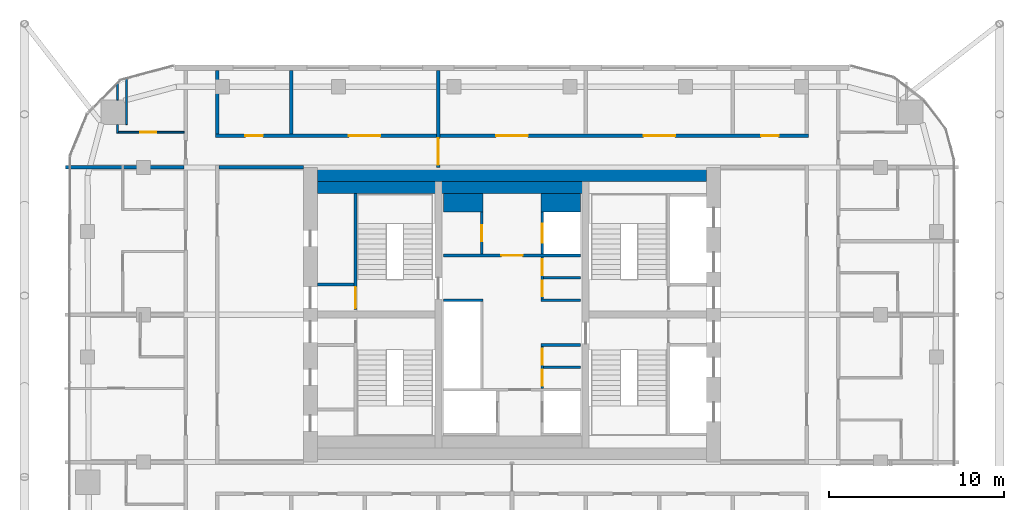
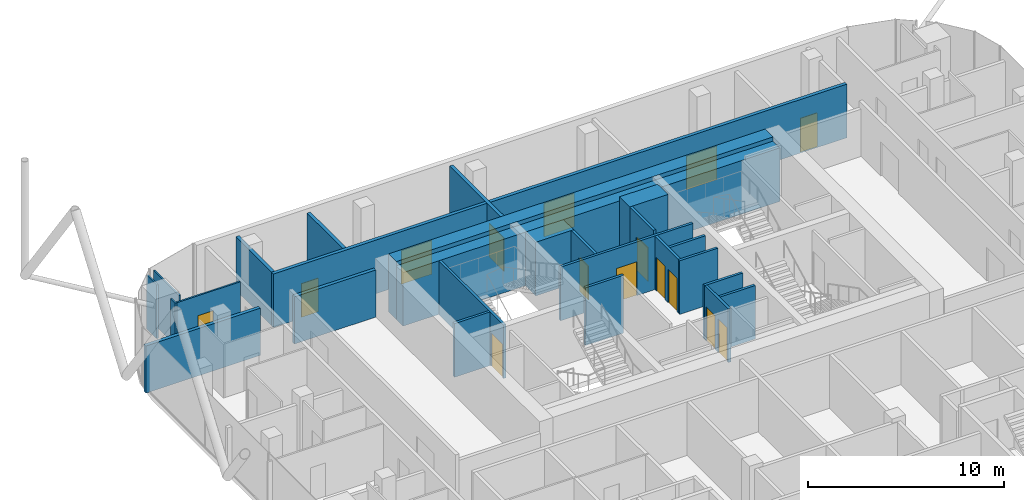
# One storey, part 25 of 28: 26 walls, 15 doors, 15 openings.
"""IFC4 building model written with IfcOpenShell, lengths in metres."""

from ifc_helpers import new_model, si_unit, direction, frame, frame_2d, origin, place, context, subcontext, project, spatial, rectangle, extrude, material, layer, layer_set, type_object, element, fill, save


model = new_model("IFC4")

# Units and contexts
model_context = context("Model", 3, precision=1e-05, world=origin(), true_north=direction((0.0, 1.0)))
body_context = subcontext(model_context, "Body", "Model", "MODEL_VIEW")
ifc_project = project(units=[si_unit("LENGTHUNIT", "METRE"), si_unit("AREAUNIT", "SQUARE_METRE"), si_unit("VOLUMEUNIT", "CUBIC_METRE"), si_unit("PLANEANGLEUNIT", "RADIAN"), si_unit("MASSUNIT", "GRAM", prefix="KILO")], contexts=[model_context])

# Site, building, storey
site_placement = place(None, origin())
site = spatial("IfcSite", under=ifc_project, at=site_placement, CompositionType="ELEMENT")
building_placement = place(site_placement, origin())
building = spatial("IfcBuilding", under=site, at=building_placement, Name="Marenta Gate Hotel Tower", CompositionType="ELEMENT")
storey_placement = place(building_placement, frame((0.0, 0.0, 212.89990234375)))
storey = spatial("IfcBuildingStorey", under=building, at=storey_placement, Name="L49", CompositionType="ELEMENT", Elevation=212.89990234375)

# Wall, opening, door
ifc_material_1 = material(Name="Concrete blockwork", Category="masonry")
ifc_layer_1 = layer(ifc_material_1, 0.199951171875)
ifc_layer_set_1 = layer_set([ifc_layer_1], Name="Concrete blockwork")
wall_type_1 = type_object("IfcWallType", Name="Compartment wall 200 REI 180", PredefinedType="PARTITIONING", material=ifc_layer_set_1)
wall_1_placement = place(storey_placement, frame((-4.199951171875, 16.800048828125, 0.0), z_axis=(0.0, 0.0, 1.0), x_axis=(0.0, 1.0, 0.0)))
wall_1 = element("IfcWall", 1, at=wall_1_placement, inside=storey, type_object=wall_type_1, Name="L49-PTN-W089", PredefinedType="PARTITIONING", context=body_context, shape_type="SweptSolid", body=[
    extrude(rectangle(XDim=5.5400390625, YDim=0.199951171875, at=frame_2d((2.77001953125, 0.0))), origin(), (0.0, 0.0, 1.0), 3.340087890625),
])
opening_1_placement = place(wall_1_placement, frame((0.14990234375, 0.0, 0.0)))
opening_1 = element("IfcOpeningElement", 2, at=opening_1_placement, cuts=wall_1, Name="Opening G17-FD1", PredefinedType="OPENING", context=body_context, shape_type="SweptSolid", body=[
    extrude(rectangle(XDim=1.5, YDim=2.10009765625, at=frame_2d((0.75, 1.050048828125))), frame((0.0, 0.10009765625, 0.0), z_axis=(0.0, -1.0, 0.0), x_axis=(1.0, 0.0, 0.0)), (0.0, 0.0, 1.0), 0.199951171875),
])
ifc_material_2 = material(Name="Hollow steel door set", Category="steel")
door_type_1 = type_object("IfcDoorType", Name="Compartment fire door 1500x2100 EI 60", OperationType="DOUBLE_DOOR_DOUBLE_SWING", PredefinedType="DOOR", material=ifc_material_2)
door_1_placement = place(opening_1_placement, origin())
door_1 = element("IfcDoor", 3, at=door_1_placement, inside=storey, type_object=door_type_1, Name="L49-PD-FD01", OperationType="DOUBLE_DOOR_DOUBLE_SWING", OverallHeight=2.10009765625, OverallWidth=1.5, PredefinedType="DOOR", context=body_context, shape_type="SweptSolid", body=[
    extrude(rectangle(XDim=1.5, YDim=2.10009765625, at=frame_2d((0.75, 1.050048828125))), frame((0.0, 0.02490234375, 0.0), z_axis=(0.0, -1.0, 0.0), x_axis=(1.0, 0.0, 0.0)), (0.0, 0.0, 1.0), 0.050048828125),
])
fill(opening_1, door_1)

# Walls
ifc_material_3 = material(Name="Concrete blockwork", Category="masonry")
ifc_layer_2 = layer(ifc_material_3, 0.199951171875)
ifc_layer_set_2 = layer_set([ifc_layer_2], Name="Concrete blockwork")
wall_type_2 = type_object("IfcWallType", Name="Core boundary wall 200 REI 180", PredefinedType="PARTITIONING", material=ifc_layer_set_2)
wall_2_placement = place(storey_placement, frame((-16.699951171875, 16.800048828125, 0.0), z_axis=(0.0, 0.0, 1.0), x_axis=(1.0, 0.0, 0.0)))
element("IfcWall", 4, at=wall_2_placement, inside=storey, type_object=wall_type_2, Name="L49-CP-EW-WN", PredefinedType="PARTITIONING", context=body_context, shape_type="SweptSolid", body=[
    extrude(rectangle(XDim=4.800048828125, YDim=0.199951171875, at=frame_2d((2.39990234375, 0.0))), origin(), (0.0, 0.0, 1.0), 2.940185546875),
])
ifc_material_4 = material(Name="Concrete C40", Category="concrete")
ifc_layer_3 = layer(ifc_material_4, 0.699951171875)
ifc_layer_set_3 = layer_set([ifc_layer_3], Name="Concrete C40")
wall_type_3 = type_object("IfcWallType", Name="Core lining wall 700 REI 180", PredefinedType="PARTITIONING", material=ifc_layer_set_3)
wall_3_placement = place(storey_placement, frame((-11.10009765625, 15.64990234375, 0.0), z_axis=(0.0, 0.0, 1.0), x_axis=(1.0, 0.0, 0.0)))
element("IfcWall", 5, at=wall_3_placement, inside=storey, type_object=wall_type_3, Name="L49-CP-LN-N", PredefinedType="PARTITIONING", context=body_context, shape_type="SweptSolid", body=[
    extrude(rectangle(XDim=22.2001953125, YDim=0.699951171875, at=frame_2d((11.10009765625, 0.0))), origin(), (0.0, 0.0, 1.0), 3.340087890625),
])

# Wall, opening, door
ifc_material_5 = material(Name="Concrete blockwork", Category="masonry")
ifc_layer_4 = layer(ifc_material_5, 0.14990234375)
ifc_layer_set_4 = layer_set([ifc_layer_4], Name="Concrete blockwork")
wall_type_4 = type_object("IfcWallType", Name="Core lobby partition 150 REI 180", PredefinedType="PARTITIONING", material=ifc_layer_set_4)
wall_4_placement = place(storey_placement, frame((-3.89990234375, 11.77490234375, 0.0), z_axis=(0.0, 0.0, 1.0), x_axis=(1.0, 0.0, 0.0)))
wall_4 = element("IfcWall", 6, at=wall_4_placement, inside=storey, type_object=wall_type_4, Name="L49-CP-CW-N", PredefinedType="PARTITIONING", context=body_context, shape_type="SweptSolid", body=[
    extrude(rectangle(XDim=7.7998046875, YDim=0.14990234375, at=frame_2d((3.89990234375, 0.0))), origin(), (0.0, 0.0, 1.0), 3.340087890625),
])
opening_2_placement = place(wall_4_placement, frame((3.300048828125, 0.0, 0.0)))
opening_2 = element("IfcOpeningElement", 7, at=opening_2_placement, cuts=wall_4, Name="Opening FD-FFN", PredefinedType="OPENING", context=body_context, shape_type="SweptSolid", body=[
    extrude(rectangle(XDim=1.199951171875, YDim=2.10009765625, at=frame_2d((0.60009765625, 1.050048828125))), frame((0.0, 0.074951171875, 0.0), z_axis=(0.0, -1.0, 0.0), x_axis=(1.0, 0.0, 0.0)), (0.0, 0.0, 1.0), 0.14990234375),
])
ifc_material_6 = material(Name="Steel", Category="steel")
door_type_2 = type_object("IfcDoorType", Name="Core lobby door 1200x2100 FD60", OperationType="SINGLE_SWING_LEFT", PredefinedType="DOOR", material=ifc_material_6)
door_2_placement = place(opening_2_placement, origin())
door_2 = element("IfcDoor", 8, at=door_2_placement, inside=storey, type_object=door_type_2, Name="FD-FFN", OperationType="SINGLE_SWING_LEFT", OverallHeight=2.10009765625, OverallWidth=1.199951171875, PredefinedType="DOOR", context=body_context, shape_type="SweptSolid", body=[
    extrude(rectangle(XDim=1.199951171875, YDim=2.10009765625, at=frame_2d((0.60009765625, 1.050048828125))), frame((0.0, 0.02490234375, 0.0), z_axis=(0.0, -1.0, 0.0), x_axis=(1.0, 0.0, 0.0)), (0.0, 0.0, 1.0), 0.050048828125),
])
fill(opening_2, door_2)

# Walls
ifc_material_7 = material(Name="Concrete blockwork", Category="masonry")
ifc_layer_5 = layer(ifc_material_7, 1.050048828125)
ifc_layer_set_5 = layer_set([ifc_layer_5], Name="Concrete blockwork")
wall_type_5 = type_object("IfcWallType", Name="Core room partition 1050 REI 180", PredefinedType="PARTITIONING", material=ifc_layer_set_5)
wall_5_placement = place(storey_placement, frame((-3.89990234375, 14.77490234375, 0.0), z_axis=(0.0, 0.0, 1.0), x_axis=(1.0, 0.0, 0.0)))
element("IfcWall", 9, at=wall_5_placement, inside=storey, type_object=wall_type_5, Name="L49-CP-CW-W-riser-N", PredefinedType="PARTITIONING", context=body_context, shape_type="SweptSolid", body=[
    extrude(rectangle(XDim=2.25, YDim=1.050048828125, at=frame_2d((1.125, 0.0))), origin(), (0.0, 0.0, 1.0), 3.340087890625),
])
ifc_material_8 = material(Name="Concrete blockwork", Category="masonry")
ifc_layer_6 = layer(ifc_material_8, 0.14990234375)
ifc_layer_set_6 = layer_set([ifc_layer_6], Name="Concrete blockwork")
wall_type_6 = type_object("IfcWallType", Name="Core room partition 150 REI 180", PredefinedType="PARTITIONING", material=ifc_layer_set_6)
wall_6_placement = place(storey_placement, frame((-11.10009765625, 10.125, 0.0), z_axis=(0.0, 0.0, 1.0), x_axis=(1.0, 0.0, 0.0)))
element("IfcWall", 10, at=wall_6_placement, inside=storey, type_object=wall_type_6, Name="L49-CP-SW-WN-2", PredefinedType="PARTITIONING", context=body_context, shape_type="SweptSolid", body=[
    extrude(rectangle(XDim=2.10009765625, YDim=0.14990234375, at=frame_2d((1.050048828125, 0.0))), origin(), (0.0, 0.0, 1.0), 3.340087890625),
])

# Wall, opening, door
wall_7_placement = place(storey_placement, frame((-1.72509765625, 11.85009765625, 0.0), z_axis=(0.0, 0.0, 1.0), x_axis=(0.0, 1.0, 0.0)))
wall_7 = element("IfcWall", 11, at=wall_7_placement, inside=storey, type_object=wall_type_6, Name="L49-CP-CW-W-riser-front", PredefinedType="PARTITIONING", context=body_context, shape_type="SweptSolid", body=[
    extrude(rectangle(XDim=2.39990234375, YDim=0.14990234375, at=frame_2d((1.199951171875, 0.0))), origin(), (0.0, 0.0, 1.0), 3.340087890625),
])
opening_3_placement = place(wall_7_placement, frame((0.75, 0.0, 0.0)))
opening_3 = element("IfcOpeningElement", 12, at=opening_3_placement, cuts=wall_7, Name="Opening RD-CRISER", PredefinedType="OPENING", context=body_context, shape_type="SweptSolid", body=[
    extrude(rectangle(XDim=0.89990234375, YDim=2.10009765625, at=frame_2d((0.449951171875, 1.050048828125))), frame((0.0, 0.074951171875, 0.0), z_axis=(0.0, -1.0, 0.0), x_axis=(1.0, 0.0, 0.0)), (0.0, 0.0, 1.0), 0.14990234375),
])
ifc_material_9 = material(Name="Steel", Category="steel")
door_type_3 = type_object("IfcDoorType", Name="Core riser door 900x2100 FD60", OperationType="SINGLE_SWING_LEFT", PredefinedType="DOOR", material=ifc_material_9)
door_3_placement = place(opening_3_placement, origin())
door_3 = element("IfcDoor", 13, at=door_3_placement, inside=storey, type_object=door_type_3, Name="RD-CRISER", OperationType="SINGLE_SWING_LEFT", OverallHeight=2.10009765625, OverallWidth=0.89990234375, PredefinedType="DOOR", context=body_context, shape_type="SweptSolid", body=[
    extrude(rectangle(XDim=0.89990234375, YDim=2.10009765625, at=frame_2d((0.449951171875, 1.050048828125))), frame((0.0, 0.02490234375, 0.0), z_axis=(0.0, -1.0, 0.0), x_axis=(1.0, 0.0, 0.0)), (0.0, 0.0, 1.0), 0.050048828125),
])
fill(opening_3, door_3)

# Walls
for number, where, z_axis, x_axis, name in (
    (14, (1.64990234375, 6.675048828125, 0.0), (0.0, 0.0, 1.0), (1.0, 0.0, 0.0), "L49-CP-CE-sep1"),
    (15, (1.64990234375, 9.22509765625, 0.0), (0.0, 0.0, 1.0), (1.0, 0.0, 0.0), "L49-CP-CE-sep2"),
):
    element("IfcWall", number, at=place(storey_placement, frame(where, z_axis=z_axis, x_axis=x_axis)), inside=storey, type_object=wall_type_6, Name=name, PredefinedType="PARTITIONING", context=body_context, shape_type="SweptSolid", body=[
        extrude(rectangle(XDim=2.25, YDim=0.14990234375, at=frame_2d((1.125, 0.0))), origin(), (0.0, 0.0, 1.0), 3.340087890625),
    ])

# Wall, openings, doors
wall_8_placement = place(storey_placement, frame((1.72509765625, 4.199951171875, 0.0), z_axis=(0.0, 0.0, 1.0), x_axis=(0.0, 1.0, 0.0)))
wall_8 = element("IfcWall", 16, at=wall_8_placement, inside=storey, type_object=wall_type_6, Name="L49-CP-CE-front-1", PredefinedType="PARTITIONING", context=body_context, shape_type="SweptSolid", body=[
    extrude(rectangle(XDim=2.400146484375, YDim=0.14990234375, at=frame_2d((1.2001953125, 0.0))), origin(), (0.0, 0.0, 1.0), 3.340087890625),
])
opening_4_placement = place(wall_8_placement, frame((0.14990234375, 0.0, 0.0)))
opening_4 = element("IfcOpeningElement", 17, at=opening_4_placement, cuts=wall_8, Name="Opening RD-CE-1a", PredefinedType="OPENING", context=body_context, shape_type="SweptSolid", body=[
    extrude(rectangle(XDim=0.89990234375, YDim=2.10009765625, at=frame_2d((0.449951171875, 1.050048828125))), frame((0.0, 0.074951171875, 0.0), z_axis=(0.0, -1.0, 0.0), x_axis=(1.0, 0.0, 0.0)), (0.0, 0.0, 1.0), 0.14990234375),
])
opening_5_placement = place(wall_8_placement, frame((1.35009765625, 0.0, 0.0)))
opening_5 = element("IfcOpeningElement", 18, at=opening_5_placement, cuts=wall_8, Name="Opening RD-CE-1b-B", PredefinedType="OPENING", context=body_context, shape_type="SweptSolid", body=[
    extrude(rectangle(XDim=0.89990234375, YDim=2.10009765625, at=frame_2d((0.449951171875, 1.050048828125))), frame((0.0, 0.074951171875, 0.0), z_axis=(0.0, -1.0, 0.0), x_axis=(1.0, 0.0, 0.0)), (0.0, 0.0, 1.0), 0.14990234375),
])
ifc_material_10 = material(Name="Steel", Category="steel")
door_type_4 = type_object("IfcDoorType", Name="Core service room door 900x2100 FD30S", OperationType="SINGLE_SWING_LEFT", PredefinedType="DOOR", material=ifc_material_10)
door_4_placement = place(opening_4_placement, origin())
door_4 = element("IfcDoor", 19, at=door_4_placement, inside=storey, type_object=door_type_4, Name="RD-CE-1a", OperationType="SINGLE_SWING_LEFT", OverallHeight=2.10009765625, OverallWidth=0.89990234375, PredefinedType="DOOR", context=body_context, shape_type="SweptSolid", body=[
    extrude(rectangle(XDim=0.89990234375, YDim=2.10009765625, at=frame_2d((0.449951171875, 1.050048828125))), frame((0.0, 0.02490234375, 0.0), z_axis=(0.0, -1.0, 0.0), x_axis=(1.0, 0.0, 0.0)), (0.0, 0.0, 1.0), 0.050048828125),
])
fill(opening_4, door_4)
door_5_placement = place(opening_5_placement, origin())
door_5 = element("IfcDoor", 20, at=door_5_placement, inside=storey, type_object=door_type_4, Name="RD-CE-1b-B", OperationType="SINGLE_SWING_LEFT", OverallHeight=2.10009765625, OverallWidth=0.89990234375, PredefinedType="DOOR", context=body_context, shape_type="SweptSolid", body=[
    extrude(rectangle(XDim=0.89990234375, YDim=2.10009765625, at=frame_2d((0.449951171875, 1.050048828125))), frame((0.0, 0.02490234375, 0.0), z_axis=(0.0, -1.0, 0.0), x_axis=(1.0, 0.0, 0.0)), (0.0, 0.0, 1.0), 0.050048828125),
])
fill(opening_5, door_5)

wall_9_placement = place(storey_placement, frame((1.72509765625, 9.300048828125, 0.0), z_axis=(0.0, 0.0, 1.0), x_axis=(0.0, 1.0, 0.0)))
wall_9 = element("IfcWall", 21, at=wall_9_placement, inside=storey, type_object=wall_type_6, Name="L49-CP-CE-front-2", PredefinedType="PARTITIONING", context=body_context, shape_type="SweptSolid", body=[
    extrude(rectangle(XDim=2.39990234375, YDim=0.14990234375, at=frame_2d((1.199951171875, 0.0))), origin(), (0.0, 0.0, 1.0), 3.340087890625),
])
opening_6_placement = place(wall_9_placement, frame((0.14990234375, 0.0, 0.0)))
opening_6 = element("IfcOpeningElement", 22, at=opening_6_placement, cuts=wall_9, Name="Opening RD-CE-2a", PredefinedType="OPENING", context=body_context, shape_type="SweptSolid", body=[
    extrude(rectangle(XDim=0.89990234375, YDim=2.10009765625, at=frame_2d((0.449951171875, 1.050048828125))), frame((0.0, 0.074951171875, 0.0), z_axis=(0.0, -1.0, 0.0), x_axis=(1.0, 0.0, 0.0)), (0.0, 0.0, 1.0), 0.14990234375),
])
opening_7_placement = place(wall_9_placement, frame((1.35009765625, 0.0, 0.0)))
opening_7 = element("IfcOpeningElement", 23, at=opening_7_placement, cuts=wall_9, Name="Opening RD-CE-2b-B", PredefinedType="OPENING", context=body_context, shape_type="SweptSolid", body=[
    extrude(rectangle(XDim=0.89990234375, YDim=2.10009765625, at=frame_2d((0.449951171875, 1.050048828125))), frame((0.0, 0.074951171875, 0.0), z_axis=(0.0, -1.0, 0.0), x_axis=(1.0, 0.0, 0.0)), (0.0, 0.0, 1.0), 0.14990234375),
])
door_6_placement = place(opening_6_placement, origin())
door_6 = element("IfcDoor", 24, at=door_6_placement, inside=storey, type_object=door_type_4, Name="RD-CE-2a", OperationType="SINGLE_SWING_LEFT", OverallHeight=2.10009765625, OverallWidth=0.89990234375, PredefinedType="DOOR", context=body_context, shape_type="SweptSolid", body=[
    extrude(rectangle(XDim=0.89990234375, YDim=2.10009765625, at=frame_2d((0.449951171875, 1.050048828125))), frame((0.0, 0.02490234375, 0.0), z_axis=(0.0, -1.0, 0.0), x_axis=(1.0, 0.0, 0.0)), (0.0, 0.0, 1.0), 0.050048828125),
])
fill(opening_6, door_6)
door_7_placement = place(opening_7_placement, origin())
door_7 = element("IfcDoor", 25, at=door_7_placement, inside=storey, type_object=door_type_4, Name="RD-CE-2b-B", OperationType="SINGLE_SWING_LEFT", OverallHeight=2.10009765625, OverallWidth=0.89990234375, PredefinedType="DOOR", context=body_context, shape_type="SweptSolid", body=[
    extrude(rectangle(XDim=0.89990234375, YDim=2.10009765625, at=frame_2d((0.449951171875, 1.050048828125))), frame((0.0, 0.02490234375, 0.0), z_axis=(0.0, -1.0, 0.0), x_axis=(1.0, 0.0, 0.0)), (0.0, 0.0, 1.0), 0.050048828125),
])
fill(opening_7, door_7)

# Walls
for number, where, z_axis, x_axis, name in (
    (26, (1.800048828125, 5.39990234375, 0.0), (0.0, 0.0, 1.0), (1.0, 0.0, 0.0), "L49-CP-CE-RW-1"),
    (27, (1.800048828125, 10.5, 0.0), (0.0, 0.0, 1.0), (1.0, 0.0, 0.0), "L49-CP-CE-RW-2"),
):
    element("IfcWall", number, at=place(storey_placement, frame(where, z_axis=z_axis, x_axis=x_axis)), inside=storey, type_object=wall_type_6, Name=name, PredefinedType="PARTITIONING", context=body_context, shape_type="SweptSolid", body=[
        extrude(rectangle(XDim=2.099853515625, YDim=0.14990234375, at=frame_2d((1.0498046875, 0.0))), origin(), (0.0, 0.0, 1.0), 3.340087890625),
    ])
ifc_material_11 = material(Name="Concrete C40", Category="concrete")
ifc_layer_7 = layer(ifc_material_11, 1.050048828125)
ifc_layer_set_7 = layer_set([ifc_layer_7], Name="Concrete C40")
wall_type_7 = type_object("IfcWallType", Name="Core shaft wall 1050 REI 180", PredefinedType="SHEAR", material=ifc_layer_set_7)
wall_10_placement = place(storey_placement, frame((1.64990234375, 14.77490234375, 0.0), z_axis=(0.0, 0.0, 1.0), x_axis=(1.0, 0.0, 0.0)))
element("IfcWall", 28, at=wall_10_placement, inside=storey, type_object=wall_type_7, Name="L49-SHF-CE-N-top", PredefinedType="SHEAR", context=body_context, shape_type="SweptSolid", body=[
    extrude(rectangle(XDim=2.25, YDim=1.050048828125, at=frame_2d((1.125, 0.0))), origin(), (0.0, 0.0, 1.0), 3.60009765625),
])
ifc_material_12 = material(Name="Concrete C40", Category="concrete")
ifc_layer_8 = layer(ifc_material_12, 0.14990234375)
ifc_layer_set_8 = layer_set([ifc_layer_8], Name="Concrete C40")
wall_type_8 = type_object("IfcWallType", Name="Core shaft wall 150 REI 180", PredefinedType="SHEAR", material=ifc_layer_set_8)
wall_11_placement = place(storey_placement, frame((-3.89990234375, 9.22509765625, 0.0), z_axis=(0.0, 0.0, 1.0), x_axis=(1.0, 0.0, 0.0)))
element("IfcWall", 29, at=wall_11_placement, inside=storey, type_object=wall_type_8, Name="L49-SHF-CW-W-sep", PredefinedType="SHEAR", context=body_context, shape_type="SweptSolid", body=[
    extrude(rectangle(XDim=2.25, YDim=0.14990234375, at=frame_2d((1.125, 0.0))), origin(), (0.0, 0.0, 1.0), 3.60009765625),
])

# Wall, opening, door
wall_12_placement = place(storey_placement, frame((1.72509765625, 11.85009765625, 0.0), z_axis=(0.0, 0.0, 1.0), x_axis=(0.0, 1.0, 0.0)))
wall_12 = element("IfcWall", 30, at=wall_12_placement, inside=storey, type_object=wall_type_8, Name="L49-SHF-CE-N-front2", PredefinedType="SHEAR", context=body_context, shape_type="SweptSolid", body=[
    extrude(rectangle(XDim=2.39990234375, YDim=0.14990234375, at=frame_2d((1.199951171875, 0.0))), origin(), (0.0, 0.0, 1.0), 3.60009765625),
])
opening_8_placement = place(wall_12_placement, frame((0.64990234375, 0.0, 0.0)))
opening_8 = element("IfcOpeningElement", 31, at=opening_8_placement, cuts=wall_12, Name="Opening LD-FF2", PredefinedType="OPENING", context=body_context, shape_type="SweptSolid", body=[
    extrude(rectangle(XDim=1.10009765625, YDim=2.10009765625, at=frame_2d((0.550048828125, 1.050048828125))), frame((0.0, 0.074951171875, 0.0), z_axis=(0.0, -1.0, 0.0), x_axis=(1.0, 0.0, 0.0)), (0.0, 0.0, 1.0), 0.14990234375),
])
ifc_material_13 = material(Name="Steel", Category="steel")
door_type_5 = type_object("IfcDoorType", Name="Core lift landing door 1100x2100 E 60", OperationType="SLIDING_TO_LEFT", PredefinedType="DOOR", material=ifc_material_13)
door_8_placement = place(opening_8_placement, origin())
door_8 = element("IfcDoor", 32, at=door_8_placement, inside=storey, type_object=door_type_5, Name="LD-FF2", OperationType="SLIDING_TO_LEFT", OverallHeight=2.10009765625, OverallWidth=1.10009765625, PredefinedType="DOOR", context=body_context, shape_type="SweptSolid", body=[
    extrude(rectangle(XDim=1.10009765625, YDim=2.10009765625, at=frame_2d((0.550048828125, 1.050048828125))), frame((0.0, 0.02490234375, 0.0), z_axis=(0.0, -1.0, 0.0), x_axis=(1.0, 0.0, 0.0)), (0.0, 0.0, 1.0), 0.050048828125),
])
fill(opening_8, door_8)

ifc_material_14 = material(Name="Concrete C40", Category="concrete")
ifc_layer_9 = layer(ifc_material_14, 0.14990234375)
ifc_layer_set_9 = layer_set([ifc_layer_9], Name="Concrete C40")
wall_type_9 = type_object("IfcWallType", Name="Core stair enclosure wall 150 REI 180", PredefinedType="SHEAR", material=ifc_layer_set_9)
wall_13_placement = place(storey_placement, frame((-8.925048828125, 8.699951171875, 0.0), z_axis=(0.0, 0.0, 1.0), x_axis=(0.0, 1.0, 0.0)))
wall_13 = element("IfcWall", 33, at=wall_13_placement, inside=storey, type_object=wall_type_9, Name="L49-SHF-SW-WN-3", PredefinedType="SHEAR", context=body_context, shape_type="SweptSolid", body=[
    extrude(rectangle(XDim=6.60009765625, YDim=0.14990234375, at=frame_2d((3.300048828125, 0.0))), origin(), (0.0, 0.0, 1.0), 3.340087890625),
])
opening_9_placement = place(wall_13_placement, frame((0.074951171875, 0.0, 0.0)))
opening_9 = element("IfcOpeningElement", 34, at=opening_9_placement, cuts=wall_13, Name="Opening SD-WN", PredefinedType="OPENING", context=body_context, shape_type="SweptSolid", body=[
    extrude(rectangle(XDim=1.199951171875, YDim=2.10009765625, at=frame_2d((0.60009765625, 1.050048828125))), frame((0.0, 0.074951171875, 0.0), z_axis=(0.0, -1.0, 0.0), x_axis=(1.0, 0.0, 0.0)), (0.0, 0.0, 1.0), 0.14990234375),
])
ifc_material_15 = material(Name="Steel", Category="steel")
door_type_6 = type_object("IfcDoorType", Name="Core stair door 1200x2100 FD60", OperationType="SINGLE_SWING_LEFT", PredefinedType="DOOR", material=ifc_material_15)
door_9_placement = place(opening_9_placement, origin())
door_9 = element("IfcDoor", 35, at=door_9_placement, inside=storey, type_object=door_type_6, Name="SD-WN", OperationType="SINGLE_SWING_LEFT", OverallHeight=2.10009765625, OverallWidth=1.199951171875, PredefinedType="DOOR", context=body_context, shape_type="SweptSolid", body=[
    extrude(rectangle(XDim=1.199951171875, YDim=2.10009765625, at=frame_2d((0.60009765625, 1.050048828125))), frame((0.0, 0.02490234375, 0.0), z_axis=(0.0, -1.0, 0.0), x_axis=(1.0, 0.0, 0.0)), (0.0, 0.0, 1.0), 0.050048828125),
])
fill(opening_9, door_9)

# Walls
ifc_material_16 = material(Name="Concrete C60", Category="concrete")
ifc_layer_10 = layer(ifc_material_16, 0.800048828125)
ifc_layer_set_10 = layer_set([ifc_layer_10], Name="Concrete C60")
wall_type_10 = type_object("IfcWallType", Name="Core wall 800 C60", PredefinedType="SHEAR", material=ifc_layer_set_10)
wall_14_placement = place(storey_placement, frame((-11.10009765625, 16.39990234375, 0.0), z_axis=(0.0, 0.0, 1.0), x_axis=(1.0, 0.0, 0.0)))
element("IfcWall", 36, at=wall_14_placement, inside=storey, type_object=wall_type_10, Name="L49-CORE-N", PredefinedType="SHEAR", context=body_context, shape_type="SweptSolid", body=[
    extrude(rectangle(XDim=22.2001953125, YDim=0.800048828125, at=frame_2d((11.10009765625, 0.0))), origin(), (0.0, 0.0, 1.0), 3.60009765625),
])
ifc_material_17 = material(Name="Gypsum board on steel stud", Category="steel")
ifc_layer_11 = layer(ifc_material_17, 0.199951171875)
ifc_layer_set_11 = layer_set([ifc_layer_11], Name="Gypsum board on steel stud")
wall_type_11 = type_object("IfcWallType", Name="Room corridor wall 200 EI 60", PredefinedType="PARTITIONING", material=ifc_layer_set_11)
wall_15_placement = place(storey_placement, frame((-16.800048828125, 18.699951171875, 0.0), z_axis=(0.0, 0.0, 1.0), x_axis=(0.0, 1.0, 0.0)))
element("IfcWall", 37, at=wall_15_placement, inside=storey, type_object=wall_type_11, Name="L49-PTN-W115", PredefinedType="PARTITIONING", context=body_context, shape_type="SweptSolid", body=[
    extrude(rectangle(XDim=3.64013671875, YDim=0.199951171875, at=frame_2d((1.820068359375, 0.0))), origin(), (0.0, 0.0, 1.0), 3.340087890625),
])

# Wall, openings, doors
wall_16_placement = place(storey_placement, frame((-16.89990234375, 18.60009765625, 0.0), z_axis=(0.0, 0.0, 1.0), x_axis=(1.0, 0.0, 0.0)))
wall_16 = element("IfcWall", 38, at=wall_16_placement, inside=storey, type_object=wall_type_11, Name="L49-PTN-W119", PredefinedType="PARTITIONING", context=body_context, shape_type="SweptSolid", body=[
    extrude(rectangle(XDim=33.7998046875, YDim=0.199951171875, at=frame_2d((16.89990234375, 0.0))), origin(), (0.0, 0.0, 1.0), 3.340087890625),
])
opening_10_placement = place(wall_16_placement, frame((1.699951171875, 0.0, 0.0)))
opening_10 = element("IfcOpeningElement", 39, at=opening_10_placement, cuts=wall_16, Name="Opening G17-36", PredefinedType="OPENING", context=body_context, shape_type="SweptSolid", body=[
    extrude(rectangle(XDim=1.0, YDim=2.10009765625, at=frame_2d((0.5, 1.050048828125))), frame((0.0, 0.10009765625, 0.0), z_axis=(0.0, -1.0, 0.0), x_axis=(1.0, 0.0, 0.0)), (0.0, 0.0, 1.0), 0.199951171875),
])
opening_11_placement = place(wall_16_placement, frame((7.60009765625, 0.0, 0.0)))
opening_11 = element("IfcOpeningElement", 40, at=opening_11_placement, cuts=wall_16, Name="Opening G17-37", PredefinedType="OPENING", context=body_context, shape_type="SweptSolid", body=[
    extrude(rectangle(XDim=1.800048828125, YDim=2.10009765625, at=frame_2d((0.89990234375, 1.050048828125))), frame((0.0, 0.10009765625, 0.0), z_axis=(0.0, -1.0, 0.0), x_axis=(1.0, 0.0, 0.0)), (0.0, 0.0, 1.0), 0.199951171875),
])
opening_12_placement = place(wall_16_placement, frame((16.0, 0.0, 0.0)))
opening_12 = element("IfcOpeningElement", 41, at=opening_12_placement, cuts=wall_16, Name="Opening G17-38", PredefinedType="OPENING", context=body_context, shape_type="SweptSolid", body=[
    extrude(rectangle(XDim=1.800048828125, YDim=2.10009765625, at=frame_2d((0.89990234375, 1.050048828125))), frame((0.0, 0.10009765625, 0.0), z_axis=(0.0, -1.0, 0.0), x_axis=(1.0, 0.0, 0.0)), (0.0, 0.0, 1.0), 0.199951171875),
])
opening_13_placement = place(wall_16_placement, frame((24.39990234375, 0.0, 0.0)))
opening_13 = element("IfcOpeningElement", 42, at=opening_13_placement, cuts=wall_16, Name="Opening G17-39", PredefinedType="OPENING", context=body_context, shape_type="SweptSolid", body=[
    extrude(rectangle(XDim=1.800048828125, YDim=2.10009765625, at=frame_2d((0.89990234375, 1.050048828125))), frame((0.0, 0.10009765625, 0.0), z_axis=(0.0, -1.0, 0.0), x_axis=(1.0, 0.0, 0.0)), (0.0, 0.0, 1.0), 0.199951171875),
])
opening_14_placement = place(wall_16_placement, frame((31.10009765625, 0.0, 0.0)))
opening_14 = element("IfcOpeningElement", 43, at=opening_14_placement, cuts=wall_16, Name="Opening G17-40", PredefinedType="OPENING", context=body_context, shape_type="SweptSolid", body=[
    extrude(rectangle(XDim=1.0, YDim=2.10009765625, at=frame_2d((0.5, 1.050048828125))), frame((0.0, 0.10009765625, 0.0), z_axis=(0.0, -1.0, 0.0), x_axis=(1.0, 0.0, 0.0)), (0.0, 0.0, 1.0), 0.199951171875),
])
ifc_material_18 = material(Name="Timber door leaf", Category="wood")
door_type_7 = type_object("IfcDoorType", Name="Room amenity door 1000x2100 EI 30", OperationType="NOTDEFINED", PredefinedType="DOOR", material=ifc_material_18)
door_10_placement = place(opening_10_placement, origin())
door_10 = element("IfcDoor", 44, at=door_10_placement, inside=storey, type_object=door_type_7, Name="L49-PD-D036", OperationType="SINGLE_SWING_RIGHT", OverallHeight=2.10009765625, OverallWidth=1.0, PredefinedType="DOOR", context=body_context, shape_type="SweptSolid", body=[
    extrude(rectangle(XDim=1.0, YDim=2.10009765625, at=frame_2d((0.5, 1.050048828125))), frame((0.0, 0.02490234375, 0.0), z_axis=(0.0, -1.0, 0.0), x_axis=(1.0, 0.0, 0.0)), (0.0, 0.0, 1.0), 0.050048828125),
])
fill(opening_10, door_10)
door_11_placement = place(opening_14_placement, origin())
door_11 = element("IfcDoor", 45, at=door_11_placement, inside=storey, type_object=door_type_7, Name="L49-PD-D040", OperationType="SINGLE_SWING_RIGHT", OverallHeight=2.10009765625, OverallWidth=1.0, PredefinedType="DOOR", context=body_context, shape_type="SweptSolid", body=[
    extrude(rectangle(XDim=1.0, YDim=2.10009765625, at=frame_2d((0.5, 1.050048828125))), frame((0.0, 0.02490234375, 0.0), z_axis=(0.0, -1.0, 0.0), x_axis=(1.0, 0.0, 0.0)), (0.0, 0.0, 1.0), 0.050048828125),
])
fill(opening_14, door_11)
ifc_material_19 = material(Name="Timber door leaf", Category="wood")
door_type_8 = type_object("IfcDoorType", Name="Room amenity door 1800x2100 EI 30", OperationType="DOUBLE_DOOR_SINGLE_SWING", PredefinedType="DOOR", material=ifc_material_19)
door_12_placement = place(opening_11_placement, origin())
door_12 = element("IfcDoor", 46, at=door_12_placement, inside=storey, type_object=door_type_8, Name="L49-PD-D037", OperationType="DOUBLE_DOOR_SINGLE_SWING", OverallHeight=2.10009765625, OverallWidth=1.800048828125, PredefinedType="DOOR", context=body_context, shape_type="SweptSolid", body=[
    extrude(rectangle(XDim=1.800048828125, YDim=2.10009765625, at=frame_2d((0.89990234375, 1.050048828125))), frame((0.0, 0.02490234375, 0.0), z_axis=(0.0, -1.0, 0.0), x_axis=(1.0, 0.0, 0.0)), (0.0, 0.0, 1.0), 0.050048828125),
])
fill(opening_11, door_12)
door_13_placement = place(opening_12_placement, origin())
door_13 = element("IfcDoor", 47, at=door_13_placement, inside=storey, type_object=door_type_8, Name="L49-PD-D038", OperationType="DOUBLE_DOOR_SINGLE_SWING", OverallHeight=2.10009765625, OverallWidth=1.800048828125, PredefinedType="DOOR", context=body_context, shape_type="SweptSolid", body=[
    extrude(rectangle(XDim=1.800048828125, YDim=2.10009765625, at=frame_2d((0.89990234375, 1.050048828125))), frame((0.0, 0.02490234375, 0.0), z_axis=(0.0, -1.0, 0.0), x_axis=(1.0, 0.0, 0.0)), (0.0, 0.0, 1.0), 0.050048828125),
])
fill(opening_12, door_13)
door_14_placement = place(opening_13_placement, origin())
door_14 = element("IfcDoor", 48, at=door_14_placement, inside=storey, type_object=door_type_8, Name="L49-PD-D039", OperationType="DOUBLE_DOOR_SINGLE_SWING", OverallHeight=2.10009765625, OverallWidth=1.800048828125, PredefinedType="DOOR", context=body_context, shape_type="SweptSolid", body=[
    extrude(rectangle(XDim=1.800048828125, YDim=2.10009765625, at=frame_2d((0.89990234375, 1.050048828125))), frame((0.0, 0.02490234375, 0.0), z_axis=(0.0, -1.0, 0.0), x_axis=(1.0, 0.0, 0.0)), (0.0, 0.0, 1.0), 0.050048828125),
])
fill(opening_13, door_14)

# Wall, opening, door
ifc_material_20 = material(Name="Gypsum board on steel stud", Category="steel")
ifc_layer_12 = layer(ifc_material_20, 0.10009765625)
ifc_layer_set_12 = layer_set([ifc_layer_12], Name="Gypsum board on steel stud")
wall_type_12 = type_object("IfcWallType", Name="Room partition 100", PredefinedType="PARTITIONING", material=ifc_layer_set_12)
wall_17_placement = place(storey_placement, frame((-22.449951171875, 18.800048828125, 0.0), z_axis=(0.0, 0.0, 1.0), x_axis=(1.0, 0.0, 0.0)))
wall_17 = element("IfcWall", 49, at=wall_17_placement, inside=storey, type_object=wall_type_12, Name="L49-PTN-W120", PredefinedType="PARTITIONING", context=body_context, shape_type="SweptSolid", body=[
    extrude(rectangle(XDim=3.75, YDim=0.10009765625, at=frame_2d((1.875, 0.0))), origin(), (0.0, 0.0, 1.0), 3.340087890625),
])
opening_15_placement = place(wall_17_placement, frame((1.2548828125, 0.0, 0.0)))
opening_15 = element("IfcOpeningElement", 50, at=opening_15_placement, cuts=wall_17, Name="Opening G17-74", PredefinedType="OPENING", context=body_context, shape_type="SweptSolid", body=[
    extrude(rectangle(XDim=0.89990234375, YDim=2.10009765625, at=frame_2d((0.449951171875, 1.050048828125))), frame((0.0, 0.050048828125, 0.0), z_axis=(0.0, -1.0, 0.0), x_axis=(1.0, 0.0, 0.0)), (0.0, 0.0, 1.0), 0.10009765625),
])
ifc_material_21 = material(Name="Timber door leaf", Category="wood")
door_type_9 = type_object("IfcDoorType", Name="Guest bathroom door 900x2100", OperationType="NOTDEFINED", PredefinedType="DOOR", material=ifc_material_21)
door_15_placement = place(opening_15_placement, origin())
door_15 = element("IfcDoor", 51, at=door_15_placement, inside=storey, type_object=door_type_9, Name="L49-PD-D074", OperationType="SINGLE_SWING_LEFT", OverallHeight=2.10009765625, OverallWidth=0.89990234375, PredefinedType="DOOR", context=body_context, shape_type="SweptSolid", body=[
    extrude(rectangle(XDim=0.89990234375, YDim=2.10009765625, at=frame_2d((0.449951171875, 1.050048828125))), frame((0.0, 0.02490234375, 0.0), z_axis=(0.0, -1.0, 0.0), x_axis=(1.0, 0.0, 0.0)), (0.0, 0.0, 1.0), 0.050048828125),
])
fill(opening_15, door_15)

# Walls
wall_18_placement = place(storey_placement, frame((-22.5, 18.75, 0.0), z_axis=(0.0, 0.0, 1.0), x_axis=(0.0, 1.0, 0.0)))
element("IfcWall", 52, at=wall_18_placement, inside=storey, type_object=wall_type_12, Name="L49-PTN-W131", PredefinedType="PARTITIONING", context=body_context, shape_type="SweptSolid", body=[
    extrude(rectangle(XDim=0.486083984375, YDim=0.10009765625, at=frame_2d((0.2431640625, 0.0))), origin(), (0.0, 0.0, 1.0), 3.340087890625),
])
wall_19_placement = place(storey_placement, frame((-22.5, 20.635986328125, 0.0), z_axis=(0.0, 0.0, 1.0), x_axis=(0.0, 1.0, 0.0)))
element("IfcWall", 53, at=wall_19_placement, inside=storey, type_object=wall_type_12, Name="L49-PTN-W133", PredefinedType="PARTITIONING", context=body_context, shape_type="SweptSolid", body=[
    extrude(rectangle(XDim=1.030029296875, YDim=0.10009765625, at=frame_2d((0.51513671875, 0.0))), origin(), (0.0, 0.0, 1.0), 3.340087890625),
])
wall_20_placement = place(storey_placement, frame((-21.985107421875, 19.236083984375, 0.0), z_axis=(0.0, 0.0, 1.0), x_axis=(0.0, 1.0, 0.0)))
element("IfcWall", 54, at=wall_20_placement, inside=storey, type_object=wall_type_12, Name="L49-PTN-W135", PredefinedType="PARTITIONING", context=body_context, shape_type="SweptSolid", body=[
    extrude(rectangle(XDim=2.614013671875, YDim=0.10009765625, at=frame_2d((1.30712890625, 0.0))), origin(), (0.0, 0.0, 1.0), 3.340087890625),
])
ifc_material_22 = material(Name="Gypsum board on steel stud", Category="steel")
ifc_layer_13 = layer(ifc_material_22, 0.199951171875)
ifc_layer_set_13 = layer_set([ifc_layer_13], Name="Gypsum board on steel stud")
wall_type_13 = type_object("IfcWallType", Name="Room party wall 200 EI 60", PredefinedType="PARTITIONING", material=ifc_layer_set_13)
wall_21_placement = place(storey_placement, frame((-12.60009765625, 18.699951171875, 0.0), z_axis=(0.0, 0.0, 1.0), x_axis=(0.0, 1.0, 0.0)))
element("IfcWall", 55, at=wall_21_placement, inside=storey, type_object=wall_type_13, Name="L49-PTN-W106", PredefinedType="PARTITIONING", context=body_context, shape_type="SweptSolid", body=[
    extrude(rectangle(XDim=3.64013671875, YDim=0.199951171875, at=frame_2d((1.820068359375, 0.0))), origin(), (0.0, 0.0, 1.0), 3.340087890625),
])
wall_22_placement = place(storey_placement, frame((-25.447021484375, 16.800048828125, 0.0), z_axis=(0.0, 0.0, 1.0), x_axis=(1.0, 0.0, 0.0)))
element("IfcWall", 56, at=wall_22_placement, inside=storey, type_object=wall_type_13, Name="L49-PTN-W116", PredefinedType="PARTITIONING", context=body_context, shape_type="SweptSolid", body=[
    extrude(rectangle(XDim=6.7470703125, YDim=0.199951171875, at=frame_2d((3.37353515625, 0.0))), origin(), (0.0, 0.0, 1.0), 2.940185546875),
])

save(model, "model.ifc")
